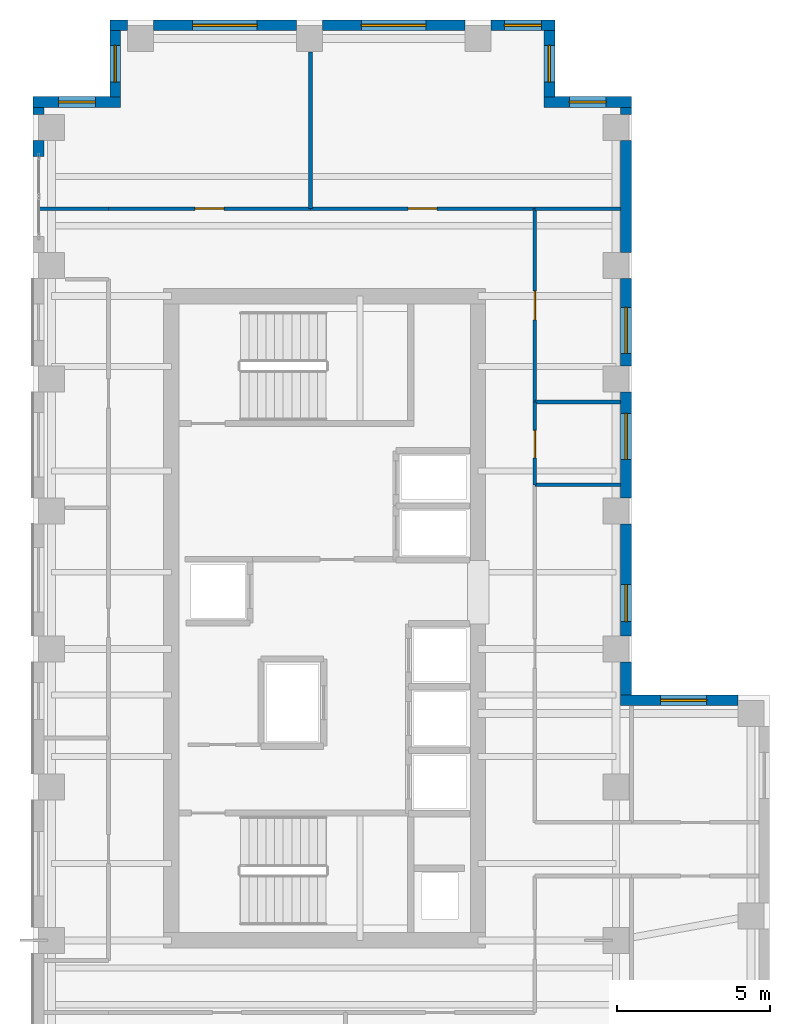
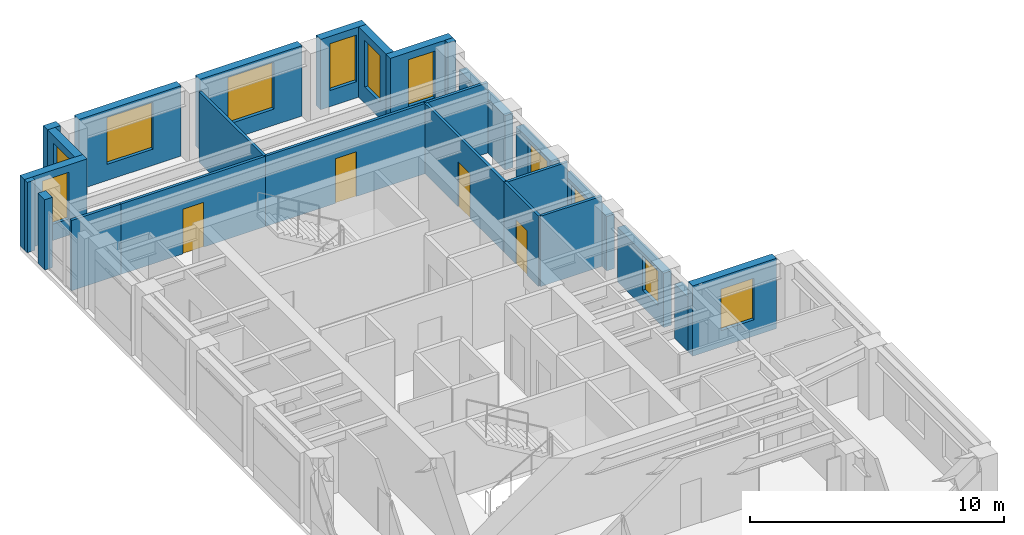
# One storey, part 8 of 10: 26 walls, 11 windows, 4 doors, 15 openings.
"""IFC4 building model written with IfcOpenShell, lengths in metres."""

from ifc_helpers import new_model, si_unit, direction, frame, frame_2d, origin, place, context, subcontext, project, spatial, rectangle, extrude, source, transform, mapped, material, layer, layer_set, type_object, element, fill, save


model = new_model("IFC4")

# Units and contexts
model_context = context("Model", 3, precision=1e-05, world=origin(), true_north=direction((0.0, 1.0)))
body_context = subcontext(model_context, "Body", "Model", "MODEL_VIEW")
ifc_project = project(units=[si_unit("LENGTHUNIT", "METRE"), si_unit("AREAUNIT", "SQUARE_METRE"), si_unit("VOLUMEUNIT", "CUBIC_METRE"), si_unit("PLANEANGLEUNIT", "RADIAN"), si_unit("MASSUNIT", "GRAM", prefix="KILO")], contexts=[model_context])

# Site, building, storey
site_placement = place(None, origin())
site = spatial("IfcSite", under=ifc_project, at=site_placement, CompositionType="ELEMENT")
building_placement = place(site_placement, origin())
building = spatial("IfcBuilding", under=site, at=building_placement, Name="Kharzan Plaza Tower", CompositionType="ELEMENT")
storey_placement = place(building_placement, frame((0.0, 0.0, 266.39990234375)))
storey = spatial("IfcBuildingStorey", under=building, at=storey_placement, Name="L72", CompositionType="ELEMENT", Elevation=266.39990234375)

# Wall, opening, window
ifc_material_1 = material(Name="Concrete C40/50", Category="concrete")
ifc_layer_1 = layer(ifc_material_1, 0.35009765625)
ifc_layer_set_1 = layer_set([ifc_layer_1], Name="Concrete C40/50")
wall_type_1 = type_object("IfcWallType", Name="WL-EXT-MAS-Z4", PredefinedType="SOLIDWALL", material=ifc_layer_set_1)
wall_1_placement = place(storey_placement, frame((16.824951171875, 35.998046875, 0.0), z_axis=(0.0, 0.0, 1.0), x_axis=(0.0, 1.0, 0.0)))
wall_1 = element("IfcWall", 1, at=wall_1_placement, inside=storey, type_object=wall_type_1, Name="L72 Masonry-Frame Exterior Wall 01", PredefinedType="SOLIDWALL", context=body_context, shape_type="SweptSolid", body=[
    extrude(rectangle(XDim=2.154052734375, YDim=0.35009765625, at=frame_2d((1.0771484375, 0.0))), origin(), (0.0, 0.0, 1.0), 3.385009765625),
])
opening_1_placement = place(wall_1_placement, frame((0.47705078125, 0.0, 0.780029296875)))
opening_1 = element("IfcOpeningElement", 2, at=opening_1_placement, cuts=wall_1, Name="Opening W3", PredefinedType="OPENING", context=body_context, shape_type="SweptSolid", body=[
    extrude(rectangle(XDim=1.199951171875, YDim=2.25, at=frame_2d((0.60009765625, 1.125))), frame((0.0, 0.18505859375, 0.0), z_axis=(0.0, -1.0, 0.0), x_axis=(1.0, 0.0, 0.0)), (0.0, 0.0, 1.0), 0.3701171875),
])
ifc_material_2 = material(Name="Low-E Double Glazing", Category="glass")
window_type_1 = type_object("IfcWindowType", Name="WN-REC-1200x2100", PartitioningType="SINGLE_PANEL", PredefinedType="WINDOW", material=ifc_material_2)
shared_shape_1 = source(origin(), body_context, "Body", "SweptSolid", [
    extrude(rectangle(XDim=1.199951171875, YDim=2.25, at=frame_2d((0.60009765625, 1.125))), frame((0.0, 0.030029296875, 0.0), z_axis=(0.0, -1.0, 0.0), x_axis=(1.0, 0.0, 0.0)), (0.0, 0.0, 1.0), 0.06005859375),
])
window_1_placement = place(opening_1_placement, origin())
window_1 = element("IfcWindow", 3, at=window_1_placement, inside=storey, type_object=window_type_1, Name="L72 Recessed Solar-Control Window 01-1", OverallHeight=2.25, OverallWidth=1.199951171875, PartitioningType="SINGLE_PANEL", PredefinedType="WINDOW", context=body_context, shape_type="MappedRepresentation", body=[
    mapped(shared_shape_1, transform((0.0, 0.0, 0.0), x_axis=(1.0, 0.0, 0.0), y_axis=(0.0, 1.0, 0.0), z_axis=(0.0, 0.0, 1.0))),
])
fill(opening_1, window_1)

wall_2_placement = place(storey_placement, frame((17.0, 38.324951171875, 0.0), z_axis=(0.0, 0.0, 1.0), x_axis=(-1.0, 0.0, 0.0)))
wall_2 = element("IfcWall", 4, at=wall_2_placement, inside=storey, type_object=wall_type_1, Name="L72 Masonry-Frame Exterior Wall 02", PredefinedType="SOLIDWALL", context=body_context, shape_type="SweptSolid", body=[
    extrude(rectangle(XDim=2.076904296875, YDim=0.35009765625, at=frame_2d((1.03857421875, 0.0))), origin(), (0.0, 0.0, 1.0), 3.385009765625),
])
opening_2_placement = place(wall_2_placement, frame((0.4384765625, 0.0, 0.780029296875)))
opening_2 = element("IfcOpeningElement", 5, at=opening_2_placement, cuts=wall_2, Name="Opening W3", PredefinedType="OPENING", context=body_context, shape_type="SweptSolid", body=[
    extrude(rectangle(XDim=1.199951171875, YDim=2.25, at=frame_2d((0.60009765625, 1.125))), frame((0.0, 0.18505859375, 0.0), z_axis=(0.0, -1.0, 0.0), x_axis=(1.0, 0.0, 0.0)), (0.0, 0.0, 1.0), 0.3701171875),
])
window_2_placement = place(opening_2_placement, origin())
window_2 = element("IfcWindow", 6, at=window_2_placement, inside=storey, type_object=window_type_1, Name="L72 Recessed Solar-Control Window 02-1", OverallHeight=2.25, OverallWidth=1.199951171875, PartitioningType="SINGLE_PANEL", PredefinedType="WINDOW", context=body_context, shape_type="MappedRepresentation", body=[
    mapped(shared_shape_1, transform((0.0, 0.0, 0.0), x_axis=(1.0, 0.0, 0.0), y_axis=(0.0, 1.0, 0.0), z_axis=(0.0, 0.0, 1.0))),
])
fill(opening_2, window_2)

wall_3_placement = place(storey_placement, frame((14.076904296875, 38.324951171875, 0.0), z_axis=(0.0, 0.0, 1.0), x_axis=(-1.0, 0.0, 0.0)))
wall_3 = element("IfcWall", 7, at=wall_3_placement, inside=storey, type_object=wall_type_1, Name="L72 Masonry-Frame Exterior Wall 03", PredefinedType="SOLIDWALL", context=body_context, shape_type="SweptSolid", body=[
    extrude(rectangle(XDim=4.65380859375, YDim=0.35009765625, at=frame_2d((2.326904296875, 0.0))), origin(), (0.0, 0.0, 1.0), 3.385009765625),
])
opening_3_placement = place(wall_3_placement, frame((1.277099609375, 0.0, 0.780029296875)))
opening_3 = element("IfcOpeningElement", 8, at=opening_3_placement, cuts=wall_3, Name="Opening W6", PredefinedType="OPENING", context=body_context, shape_type="SweptSolid", body=[
    extrude(rectangle(XDim=2.10009765625, YDim=2.25, at=frame_2d((1.050048828125, 1.125))), frame((0.0, 0.18505859375, 0.0), z_axis=(0.0, -1.0, 0.0), x_axis=(1.0, 0.0, 0.0)), (0.0, 0.0, 1.0), 0.3701171875),
])
window_type_2 = type_object("IfcWindowType", Name="WN-EXEC-2100x2250", PartitioningType="SINGLE_PANEL", PredefinedType="WINDOW", material=ifc_material_2)
shared_shape_2 = source(origin(), body_context, "Body", "SweptSolid", [
    extrude(rectangle(XDim=2.10009765625, YDim=2.25, at=frame_2d((1.050048828125, 1.125))), frame((0.0, 0.030029296875, 0.0), z_axis=(0.0, -1.0, 0.0), x_axis=(1.0, 0.0, 0.0)), (0.0, 0.0, 1.0), 0.06005859375),
])
window_3_placement = place(opening_3_placement, origin())
window_3 = element("IfcWindow", 9, at=window_3_placement, inside=storey, type_object=window_type_2, Name="L72 Recessed Solar-Control Window 03-1", OverallHeight=2.25, OverallWidth=2.10009765625, PartitioningType="SINGLE_PANEL", PredefinedType="WINDOW", context=body_context, shape_type="MappedRepresentation", body=[
    mapped(shared_shape_2, transform((0.0, 0.0, 0.0), x_axis=(1.0, 0.0, 0.0), y_axis=(0.0, 1.0, 0.0), z_axis=(0.0, 0.0, 1.0))),
])
fill(opening_3, window_3)

wall_4_placement = place(storey_placement, frame((8.576904296875, 38.324951171875, 0.0), z_axis=(0.0, 0.0, 1.0), x_axis=(-1.0, 0.0, 0.0)))
wall_4 = element("IfcWall", 10, at=wall_4_placement, inside=storey, type_object=wall_type_1, Name="L72 Masonry-Frame Exterior Wall 04", PredefinedType="SOLIDWALL", context=body_context, shape_type="SweptSolid", body=[
    extrude(rectangle(XDim=4.65380859375, YDim=0.35009765625, at=frame_2d((2.326904296875, 0.0))), origin(), (0.0, 0.0, 1.0), 3.385009765625),
])
opening_4_placement = place(wall_4_placement, frame((1.277099609375, 0.0, 0.780029296875)))
opening_4 = element("IfcOpeningElement", 11, at=opening_4_placement, cuts=wall_4, Name="Opening W6", PredefinedType="OPENING", context=body_context, shape_type="SweptSolid", body=[
    extrude(rectangle(XDim=2.10009765625, YDim=2.25, at=frame_2d((1.050048828125, 1.125))), frame((0.0, 0.18505859375, 0.0), z_axis=(0.0, -1.0, 0.0), x_axis=(1.0, 0.0, 0.0)), (0.0, 0.0, 1.0), 0.3701171875),
])
window_4_placement = place(opening_4_placement, origin())
window_4 = element("IfcWindow", 12, at=window_4_placement, inside=storey, type_object=window_type_2, Name="L72 Recessed Solar-Control Window 04-1", OverallHeight=2.25, OverallWidth=2.10009765625, PartitioningType="SINGLE_PANEL", PredefinedType="WINDOW", context=body_context, shape_type="MappedRepresentation", body=[
    mapped(shared_shape_2, transform((0.0, 0.0, 0.0), x_axis=(1.0, 0.0, 0.0), y_axis=(0.0, 1.0, 0.0), z_axis=(0.0, 0.0, 1.0))),
])
fill(opening_4, window_4)

wall_5_placement = place(storey_placement, frame((2.675048828125, 38.152099609375, 0.0), z_axis=(0.0, 0.0, 1.0), x_axis=(0.0, -1.0, 0.0)))
wall_5 = element("IfcWall", 13, at=wall_5_placement, inside=storey, type_object=wall_type_1, Name="L72 Masonry-Frame Exterior Wall 06", PredefinedType="SOLIDWALL", context=body_context, shape_type="SweptSolid", body=[
    extrude(rectangle(XDim=2.154052734375, YDim=0.35009765625, at=frame_2d((1.0771484375, 0.0))), origin(), (0.0, 0.0, 1.0), 3.385009765625),
])
opening_5_placement = place(wall_5_placement, frame((0.47705078125, 0.0, 0.780029296875)))
opening_5 = element("IfcOpeningElement", 14, at=opening_5_placement, cuts=wall_5, Name="Opening W3", PredefinedType="OPENING", context=body_context, shape_type="SweptSolid", body=[
    extrude(rectangle(XDim=1.199951171875, YDim=2.25, at=frame_2d((0.60009765625, 1.125))), frame((0.0, 0.18505859375, 0.0), z_axis=(0.0, -1.0, 0.0), x_axis=(1.0, 0.0, 0.0)), (0.0, 0.0, 1.0), 0.3701171875),
])
window_5_placement = place(opening_5_placement, origin())
window_5 = element("IfcWindow", 15, at=window_5_placement, inside=storey, type_object=window_type_1, Name="L72 Recessed Solar-Control Window 06-1", OverallHeight=2.25, OverallWidth=1.199951171875, PartitioningType="SINGLE_PANEL", PredefinedType="WINDOW", context=body_context, shape_type="MappedRepresentation", body=[
    mapped(shared_shape_1, transform((0.0, 0.0, 0.0), x_axis=(1.0, 0.0, 0.0), y_axis=(0.0, 1.0, 0.0), z_axis=(0.0, 0.0, 1.0))),
])
fill(opening_5, window_5)

wall_6_placement = place(storey_placement, frame((2.85009765625, 35.824951171875, 0.0), z_axis=(0.0, 0.0, 1.0), x_axis=(-1.0, 0.0, 0.0)))
wall_6 = element("IfcWall", 16, at=wall_6_placement, inside=storey, type_object=wall_type_1, Name="L72 Masonry-Frame Exterior Wall 07", PredefinedType="SOLIDWALL", context=body_context, shape_type="SweptSolid", body=[
    extrude(rectangle(XDim=2.85009765625, YDim=0.35009765625, at=frame_2d((1.425048828125, 0.0))), origin(), (0.0, 0.0, 1.0), 3.385009765625),
])
opening_6_placement = place(wall_6_placement, frame((0.824951171875, 0.0, 0.780029296875)))
opening_6 = element("IfcOpeningElement", 17, at=opening_6_placement, cuts=wall_6, Name="Opening W3", PredefinedType="OPENING", context=body_context, shape_type="SweptSolid", body=[
    extrude(rectangle(XDim=1.199951171875, YDim=2.25, at=frame_2d((0.60009765625, 1.125))), frame((0.0, 0.18505859375, 0.0), z_axis=(0.0, -1.0, 0.0), x_axis=(1.0, 0.0, 0.0)), (0.0, 0.0, 1.0), 0.3701171875),
])
window_6_placement = place(opening_6_placement, origin())
window_6 = element("IfcWindow", 18, at=window_6_placement, inside=storey, type_object=window_type_1, Name="L72 Recessed Solar-Control Window 07-1", OverallHeight=2.25, OverallWidth=1.199951171875, PartitioningType="SINGLE_PANEL", PredefinedType="WINDOW", context=body_context, shape_type="MappedRepresentation", body=[
    mapped(shared_shape_1, transform((0.0, 0.0, 0.0), x_axis=(1.0, 0.0, 0.0), y_axis=(0.0, 1.0, 0.0), z_axis=(0.0, 0.0, 1.0))),
])
fill(opening_6, window_6)

wall_7_placement = place(storey_placement, frame((22.97705078125, 16.324951171875, 0.0), z_axis=(0.0, 0.0, 1.0), x_axis=(-1.0, 0.0, 0.0)))
wall_7 = element("IfcWall", 19, at=wall_7_placement, inside=storey, type_object=wall_type_1, Name="L72 Masonry-Frame Exterior Wall 27", PredefinedType="SOLIDWALL", context=body_context, shape_type="SweptSolid", body=[
    extrude(rectangle(XDim=3.8271484375, YDim=0.35009765625, at=frame_2d((1.91357421875, 0.0))), origin(), (0.0, 0.0, 1.0), 3.385009765625),
])
opening_7_placement = place(wall_7_placement, frame((1.0234375, 0.0, 0.780029296875)))
opening_7 = element("IfcOpeningElement", 20, at=opening_7_placement, cuts=wall_7, Name="Opening W5", PredefinedType="OPENING", context=body_context, shape_type="SweptSolid", body=[
    extrude(rectangle(XDim=1.5, YDim=2.0, at=frame_2d((0.75, 1.0))), frame((0.0, 0.18505859375, 0.0), z_axis=(0.0, -1.0, 0.0), x_axis=(1.0, 0.0, 0.0)), (0.0, 0.0, 1.0), 0.3701171875),
])
window_type_3 = type_object("IfcWindowType", Name="WN-SLT-1500x2000", PartitioningType="SINGLE_PANEL", PredefinedType="WINDOW", material=ifc_material_2)
shared_shape_3 = source(origin(), body_context, "Body", "SweptSolid", [
    extrude(rectangle(XDim=1.5, YDim=2.0, at=frame_2d((0.75, 1.0))), frame((0.0, 0.030029296875, 0.0), z_axis=(0.0, -1.0, 0.0), x_axis=(1.0, 0.0, 0.0)), (0.0, 0.0, 1.0), 0.06005859375),
])
window_7_placement = place(opening_7_placement, origin())
window_7 = element("IfcWindow", 21, at=window_7_placement, inside=storey, type_object=window_type_3, Name="L72 Recessed Solar-Control Window 27-1", OverallHeight=2.0, OverallWidth=1.5, PartitioningType="SINGLE_PANEL", PredefinedType="WINDOW", context=body_context, shape_type="MappedRepresentation", body=[
    mapped(shared_shape_3, transform((0.0, 0.0, 0.0), x_axis=(1.0, 0.0, 0.0), y_axis=(0.0, 1.0, 0.0), z_axis=(0.0, 0.0, 1.0))),
])
fill(opening_7, window_7)

wall_8_placement = place(storey_placement, frame((19.324951171875, 18.423095703125, 0.0), z_axis=(0.0, 0.0, 1.0), x_axis=(0.0, 1.0, 0.0)))
wall_8 = element("IfcWall", 22, at=wall_8_placement, inside=storey, type_object=wall_type_1, Name="L72 Masonry-Frame Exterior Wall 29", PredefinedType="SOLIDWALL", context=body_context, shape_type="SweptSolid", body=[
    extrude(rectangle(XDim=3.65380859375, YDim=0.35009765625, at=frame_2d((1.826904296875, 0.0))), origin(), (0.0, 0.0, 1.0), 2.619140625),
])
opening_8_placement = place(wall_8_placement, frame((0.469970703125, 0.0, 0.780029296875)))
opening_8 = element("IfcOpeningElement", 23, at=opening_8_placement, cuts=wall_8, Name="Opening W3", PredefinedType="OPENING", context=body_context, shape_type="SweptSolid", body=[
    extrude(rectangle(XDim=1.199951171875, YDim=1.658935546875, at=frame_2d((0.60009765625, 0.82958984375))), frame((0.0, 0.18505859375, 0.0), z_axis=(0.0, -1.0, 0.0), x_axis=(1.0, 0.0, 0.0)), (0.0, 0.0, 1.0), 0.3701171875),
])
shared_shape_4 = source(origin(), body_context, "Body", "SweptSolid", [
    extrude(rectangle(XDim=1.199951171875, YDim=1.658935546875, at=frame_2d((0.60009765625, 0.82958984375))), frame((0.0, 0.030029296875, 0.0), z_axis=(0.0, -1.0, 0.0), x_axis=(1.0, 0.0, 0.0)), (0.0, 0.0, 1.0), 0.06005859375),
])
window_8_placement = place(opening_8_placement, origin())
window_8 = element("IfcWindow", 24, at=window_8_placement, inside=storey, type_object=window_type_1, Name="L72 Recessed Solar-Control Window 29-1", OverallHeight=1.658935546875, OverallWidth=1.199951171875, PartitioningType="SINGLE_PANEL", PredefinedType="WINDOW", context=body_context, shape_type="MappedRepresentation", body=[
    mapped(shared_shape_4, transform((0.0, 0.0, 0.0), x_axis=(1.0, 0.0, 0.0), y_axis=(0.0, 1.0, 0.0), z_axis=(0.0, 0.0, 1.0))),
])
fill(opening_8, window_8)

wall_9_placement = place(storey_placement, frame((19.324951171875, 22.923095703125, 0.0), z_axis=(0.0, 0.0, 1.0), x_axis=(0.0, 1.0, 0.0)))
wall_9 = element("IfcWall", 25, at=wall_9_placement, inside=storey, type_object=wall_type_1, Name="L72 Masonry-Frame Exterior Wall 30", PredefinedType="SOLIDWALL", context=body_context, shape_type="SweptSolid", body=[
    extrude(rectangle(XDim=3.453857421875, YDim=0.35009765625, at=frame_2d((1.72705078125, 0.0))), origin(), (0.0, 0.0, 1.0), 2.619140625),
])
opening_9_placement = place(wall_9_placement, frame((1.255615234375, 0.0, 0.780029296875)))
opening_9 = element("IfcOpeningElement", 26, at=opening_9_placement, cuts=wall_9, Name="Opening W5", PredefinedType="OPENING", context=body_context, shape_type="SweptSolid", body=[
    extrude(rectangle(XDim=1.5, YDim=1.658935546875, at=frame_2d((0.75, 0.82958984375))), frame((0.0, 0.18505859375, 0.0), z_axis=(0.0, -1.0, 0.0), x_axis=(1.0, 0.0, 0.0)), (0.0, 0.0, 1.0), 0.3701171875),
])
shared_shape_5 = source(origin(), body_context, "Body", "SweptSolid", [
    extrude(rectangle(XDim=1.5, YDim=1.658935546875, at=frame_2d((0.75, 0.82958984375))), frame((0.0, 0.030029296875, 0.0), z_axis=(0.0, -1.0, 0.0), x_axis=(1.0, 0.0, 0.0)), (0.0, 0.0, 1.0), 0.06005859375),
])
window_9_placement = place(opening_9_placement, origin())
window_9 = element("IfcWindow", 27, at=window_9_placement, inside=storey, type_object=window_type_3, Name="L72 Recessed Solar-Control Window 30-1", OverallHeight=1.658935546875, OverallWidth=1.5, PartitioningType="SINGLE_PANEL", PredefinedType="WINDOW", context=body_context, shape_type="MappedRepresentation", body=[
    mapped(shared_shape_5, transform((0.0, 0.0, 0.0), x_axis=(1.0, 0.0, 0.0), y_axis=(0.0, 1.0, 0.0), z_axis=(0.0, 0.0, 1.0))),
])
fill(opening_9, window_9)

wall_10_placement = place(storey_placement, frame((19.324951171875, 27.222900390625, 0.0), z_axis=(0.0, 0.0, 1.0), x_axis=(0.0, 1.0, 0.0)))
wall_10 = element("IfcWall", 28, at=wall_10_placement, inside=storey, type_object=wall_type_1, Name="L72 Masonry-Frame Exterior Wall 31", PredefinedType="SOLIDWALL", context=body_context, shape_type="SweptSolid", body=[
    extrude(rectangle(XDim=2.85400390625, YDim=0.35009765625, at=frame_2d((1.427001953125, 0.0))), origin(), (0.0, 0.0, 1.0), 2.619140625),
])
opening_10_placement = place(wall_10_placement, frame((0.411376953125, 0.0, 0.780029296875)))
opening_10 = element("IfcOpeningElement", 29, at=opening_10_placement, cuts=wall_10, Name="Opening W5", PredefinedType="OPENING", context=body_context, shape_type="SweptSolid", body=[
    extrude(rectangle(XDim=1.5, YDim=1.658935546875, at=frame_2d((0.75, 0.82958984375))), frame((0.0, 0.18505859375, 0.0), z_axis=(0.0, -1.0, 0.0), x_axis=(1.0, 0.0, 0.0)), (0.0, 0.0, 1.0), 0.3701171875),
])
window_10_placement = place(opening_10_placement, origin())
window_10 = element("IfcWindow", 30, at=window_10_placement, inside=storey, type_object=window_type_3, Name="L72 Recessed Solar-Control Window 31-1", OverallHeight=1.658935546875, OverallWidth=1.5, PartitioningType="SINGLE_PANEL", PredefinedType="WINDOW", context=body_context, shape_type="MappedRepresentation", body=[
    mapped(shared_shape_5, transform((0.0, 0.0, 0.0), x_axis=(1.0, 0.0, 0.0), y_axis=(0.0, 1.0, 0.0), z_axis=(0.0, 0.0, 1.0))),
])
fill(opening_10, window_10)

wall_11_placement = place(storey_placement, frame((19.5, 35.824951171875, 0.0), z_axis=(0.0, 0.0, 1.0), x_axis=(-1.0, 0.0, 0.0)))
wall_11 = element("IfcWall", 31, at=wall_11_placement, inside=storey, type_object=wall_type_1, Name="L72 Masonry-Frame Exterior Wall 34", PredefinedType="SOLIDWALL", context=body_context, shape_type="SweptSolid", body=[
    extrude(rectangle(XDim=2.85009765625, YDim=0.35009765625, at=frame_2d((1.425048828125, 0.0))), origin(), (0.0, 0.0, 1.0), 3.385009765625),
])
opening_11_placement = place(wall_11_placement, frame((0.824951171875, 0.0, 0.780029296875)))
opening_11 = element("IfcOpeningElement", 32, at=opening_11_placement, cuts=wall_11, Name="Opening W3", PredefinedType="OPENING", context=body_context, shape_type="SweptSolid", body=[
    extrude(rectangle(XDim=1.199951171875, YDim=2.25, at=frame_2d((0.60009765625, 1.125))), frame((0.0, 0.18505859375, 0.0), z_axis=(0.0, -1.0, 0.0), x_axis=(1.0, 0.0, 0.0)), (0.0, 0.0, 1.0), 0.3701171875),
])
window_11_placement = place(opening_11_placement, origin())
window_11 = element("IfcWindow", 33, at=window_11_placement, inside=storey, type_object=window_type_1, Name="L72 Recessed Solar-Control Window 34-1", OverallHeight=2.25, OverallWidth=1.199951171875, PartitioningType="SINGLE_PANEL", PredefinedType="WINDOW", context=body_context, shape_type="MappedRepresentation", body=[
    mapped(shared_shape_1, transform((0.0, 0.0, 0.0), x_axis=(1.0, 0.0, 0.0), y_axis=(0.0, 1.0, 0.0), z_axis=(0.0, 0.0, 1.0))),
])
fill(opening_11, window_11)

# Wall, opening, door
ifc_material_3 = material(Name="Fire-Rated Gypsum Board Partition", Category="gypsum")
ifc_layer_2 = layer(ifc_material_3, 0.125)
ifc_layer_set_2 = layer_set([ifc_layer_2], Name="Fire-Rated Gypsum Board Partition")
wall_type_2 = type_object("IfcWallType", Name="WL-INT-PART-125", PredefinedType="PARTITIONING", material=ifc_layer_set_2)
wall_12_placement = place(storey_placement, frame((16.35009765625, 26.050048828125, 0.0), z_axis=(0.0, 0.0, 1.0), x_axis=(0.0, 1.0, 0.0)))
wall_12 = element("IfcWall", 34, at=wall_12_placement, inside=storey, type_object=wall_type_2, Name="L72 Interior Partition SH-AEW3", PredefinedType="PARTITIONING", context=body_context, shape_type="SweptSolid", body=[
    extrude(rectangle(XDim=6.300048828125, YDim=0.125, at=frame_2d((3.14990234375, 0.0))), origin(), (0.0, 0.0, 1.0), 3.385009765625),
])
opening_12_placement = place(wall_12_placement, frame((2.675048828125, 0.0, 0.0)))
opening_12 = element("IfcOpeningElement", 35, at=opening_12_placement, cuts=wall_12, Name="Opening OD1", PredefinedType="OPENING", context=body_context, shape_type="SweptSolid", body=[
    extrude(rectangle(XDim=0.949951171875, YDim=2.14990234375, at=frame_2d((0.47509765625, 1.074951171875))), frame((0.0, 0.072509765625, 0.0), z_axis=(0.0, -1.0, 0.0), x_axis=(1.0, 0.0, 0.0)), (0.0, 0.0, 1.0), 0.14501953125),
])
ifc_material_4 = material(Name="Acoustic Solid-Core Stained Oak", Category="timber")
door_type_1 = type_object("IfcDoorType", Name="DR-OFF-SINGLE", OperationType="NOTDEFINED", PredefinedType="DOOR", material=ifc_material_4)
shared_shape_6 = source(origin(), body_context, "Body", "SweptSolid", [
    extrude(rectangle(XDim=0.949951171875, YDim=2.14990234375, at=frame_2d((0.47509765625, 1.074951171875))), frame((0.0, 0.02490234375, 0.0), z_axis=(0.0, -1.0, 0.0), x_axis=(1.0, 0.0, 0.0)), (0.0, 0.0, 1.0), 0.050048828125),
])
door_1_placement = place(opening_12_placement, origin())
door_1 = element("IfcDoor", 36, at=door_1_placement, inside=storey, type_object=door_type_1, Name="L72 Tea Pantry Door", OperationType="SINGLE_SWING_LEFT", OverallHeight=2.14990234375, OverallWidth=0.949951171875, PredefinedType="DOOR", context=body_context, shape_type="MappedRepresentation", body=[
    mapped(shared_shape_6, transform((0.0, 0.0, 0.0), x_axis=(1.0, 0.0, 0.0), y_axis=(0.0, 1.0, 0.0), z_axis=(0.0, 0.0, 1.0))),
])
fill(opening_12, door_1)

wall_13_placement = place(storey_placement, frame((16.35009765625, 23.35009765625, 0.0), z_axis=(0.0, 0.0, 1.0), x_axis=(0.0, 1.0, 0.0)))
wall_13 = element("IfcWall", 37, at=wall_13_placement, inside=storey, type_object=wall_type_2, Name="L72 Interior Partition SH-AEWW", PredefinedType="PARTITIONING", context=body_context, shape_type="SweptSolid", body=[
    extrude(rectangle(XDim=2.699951171875, YDim=0.125, at=frame_2d((1.35009765625, 0.0))), origin(), (0.0, 0.0, 1.0), 3.385009765625),
])
opening_13_placement = place(wall_13_placement, frame((0.875, 0.0, 0.0)))
opening_13 = element("IfcOpeningElement", 38, at=opening_13_placement, cuts=wall_13, Name="Opening WD1", PredefinedType="OPENING", context=body_context, shape_type="SweptSolid", body=[
    extrude(rectangle(XDim=0.89990234375, YDim=2.14990234375, at=frame_2d((0.449951171875, 1.074951171875))), frame((0.0, 0.072509765625, 0.0), z_axis=(0.0, -1.0, 0.0), x_axis=(1.0, 0.0, 0.0)), (0.0, 0.0, 1.0), 0.14501953125),
])
ifc_material_5 = material(Name="Moisture-Resistant Fire-Rated Laminate", Category="timber")
door_type_2 = type_object("IfcDoorType", Name="DR-WC-900", OperationType="NOTDEFINED", PredefinedType="DOOR", material=ifc_material_5)
shared_shape_7 = source(origin(), body_context, "Body", "SweptSolid", [
    extrude(rectangle(XDim=0.89990234375, YDim=2.14990234375, at=frame_2d((0.449951171875, 1.074951171875))), frame((0.0, 0.02490234375, 0.0), z_axis=(0.0, -1.0, 0.0), x_axis=(1.0, 0.0, 0.0)), (0.0, 0.0, 1.0), 0.050048828125),
])
door_2_placement = place(opening_13_placement, origin())
door_2 = element("IfcDoor", 39, at=door_2_placement, inside=storey, type_object=door_type_2, Name="L72 Washroom Door", OperationType="SINGLE_SWING_RIGHT", OverallHeight=2.14990234375, OverallWidth=0.89990234375, PredefinedType="DOOR", context=body_context, shape_type="MappedRepresentation", body=[
    mapped(shared_shape_7, transform((0.0, 0.0, 0.0), x_axis=(1.0, 0.0, 0.0), y_axis=(0.0, 1.0, 0.0), z_axis=(0.0, 0.0, 1.0))),
])
fill(opening_13, door_2)

wall_14_placement = place(storey_placement, frame((2.449951171875, 32.35009765625, 0.0), z_axis=(0.0, 0.0, 1.0), x_axis=(1.0, 0.0, 0.0)))
wall_14 = element("IfcWall", 40, at=wall_14_placement, inside=storey, type_object=wall_type_2, Name="L72 Interior Partition SH-NN-1", PredefinedType="PARTITIONING", context=body_context, shape_type="SweptSolid", body=[
    extrude(rectangle(XDim=6.589111328125, YDim=0.125, at=frame_2d((3.29443359375, 0.0))), origin(), (0.0, 0.0, 1.0), 3.385009765625),
])
opening_14_placement = place(wall_14_placement, frame((2.819580078125, 0.0, 0.0)))
opening_14 = element("IfcOpeningElement", 41, at=opening_14_placement, cuts=wall_14, Name="Opening OD1", PredefinedType="OPENING", context=body_context, shape_type="SweptSolid", body=[
    extrude(rectangle(XDim=0.949951171875, YDim=2.14990234375, at=frame_2d((0.47509765625, 1.074951171875))), frame((0.0, 0.072509765625, 0.0), z_axis=(0.0, -1.0, 0.0), x_axis=(1.0, 0.0, 0.0)), (0.0, 0.0, 1.0), 0.14501953125),
])
door_3_placement = place(opening_14_placement, origin())
door_3 = element("IfcDoor", 42, at=door_3_placement, inside=storey, type_object=door_type_1, Name="L72 Maritime Simulation Studio Door", OperationType="SINGLE_SWING_RIGHT", OverallHeight=2.14990234375, OverallWidth=0.949951171875, PredefinedType="DOOR", context=body_context, shape_type="MappedRepresentation", body=[
    mapped(shared_shape_6, transform((0.0, 0.0, 0.0), x_axis=(1.0, 0.0, 0.0), y_axis=(0.0, 1.0, 0.0), z_axis=(0.0, 0.0, 1.0))),
])
fill(opening_14, door_3)

wall_15_placement = place(storey_placement, frame((9.0390625, 32.35009765625, 0.0), z_axis=(0.0, 0.0, 1.0), x_axis=(1.0, 0.0, 0.0)))
wall_15 = element("IfcWall", 43, at=wall_15_placement, inside=storey, type_object=wall_type_2, Name="L72 Interior Partition SH-NN-2", PredefinedType="PARTITIONING", context=body_context, shape_type="SweptSolid", body=[
    extrude(rectangle(XDim=7.31103515625, YDim=0.125, at=frame_2d((3.655517578125, 0.0))), origin(), (0.0, 0.0, 1.0), 3.385009765625),
])
opening_15_placement = place(wall_15_placement, frame((3.180419921875, 0.0, 0.0)))
opening_15 = element("IfcOpeningElement", 44, at=opening_15_placement, cuts=wall_15, Name="Opening OD1", PredefinedType="OPENING", context=body_context, shape_type="SweptSolid", body=[
    extrude(rectangle(XDim=0.949951171875, YDim=2.14990234375, at=frame_2d((0.47509765625, 1.074951171875))), frame((0.0, 0.072509765625, 0.0), z_axis=(0.0, -1.0, 0.0), x_axis=(1.0, 0.0, 0.0)), (0.0, 0.0, 1.0), 0.14501953125),
])
door_4_placement = place(opening_15_placement, origin())
door_4 = element("IfcDoor", 45, at=door_4_placement, inside=storey, type_object=door_type_1, Name="L72 Maritime Simulation Studio Door", OperationType="SINGLE_SWING_LEFT", OverallHeight=2.14990234375, OverallWidth=0.949951171875, PredefinedType="DOOR", context=body_context, shape_type="MappedRepresentation", body=[
    mapped(shared_shape_6, transform((0.0, 0.0, 0.0), x_axis=(1.0, 0.0, 0.0), y_axis=(0.0, 1.0, 0.0), z_axis=(0.0, 0.0, 1.0))),
])
fill(opening_15, door_4)

# Walls
shared_shape_8 = source(origin(), body_context, "Body", "SweptSolid", [
    extrude(rectangle(XDim=2.7978515625, YDim=0.125, at=frame_2d((1.39892578125, 0.0))), origin(), (0.0, 0.0, 1.0), 3.385009765625),
])
for number, where, z_axis, x_axis, name in (
    (46, (16.35009765625, 23.35009765625, 0.0), (0.0, 0.0, 1.0), (1.0, 0.0, 0.0), "L72 Interior Partition SH-AEH-233"),
    (47, (16.35009765625, 26.050048828125, 0.0), (0.0, 0.0, 1.0), (1.0, 0.0, 0.0), "L72 Interior Partition SH-AEH-260"),
    (48, (16.35009765625, 32.35009765625, 0.0), (0.0, 0.0, 1.0), (1.0, 0.0, 0.0), "L72 Interior Partition SH-NNE0"),
):
    element("IfcWall", number, at=place(storey_placement, frame(where, z_axis=z_axis, x_axis=x_axis)), inside=storey, type_object=wall_type_2, Name=name, PredefinedType="PARTITIONING", context=body_context, shape_type="MappedRepresentation", body=[
        mapped(shared_shape_8, transform((0.0, 0.0, 0.0), x_axis=(1.0, 0.0, 0.0), y_axis=(0.0, 1.0, 0.0), z_axis=(0.0, 0.0, 1.0))),
    ])
shared_shape_9 = source(origin(), body_context, "Body", "SweptSolid", [
    extrude(rectangle(XDim=0.576904296875, YDim=0.35009765625, at=frame_2d((0.28857421875, 0.0))), origin(), (0.0, 0.0, 1.0), 3.385009765625),
])
wall_16_placement = place(storey_placement, frame((3.076904296875, 38.324951171875, 0.0), z_axis=(0.0, 0.0, 1.0), x_axis=(-1.0, 0.0, 0.0)))
element("IfcWall", 49, at=wall_16_placement, inside=storey, type_object=wall_type_1, Name="L72 Masonry-Frame Exterior Wall 05", PredefinedType="SOLIDWALL", context=body_context, shape_type="MappedRepresentation", body=[
    mapped(shared_shape_9, transform((0.0, 0.0, 0.0), x_axis=(1.0, 0.0, 0.0), y_axis=(0.0, 1.0, 0.0), z_axis=(0.0, 0.0, 1.0))),
])
shared_shape_10 = source(origin(), body_context, "Body", "SweptSolid", [
    extrude(rectangle(XDim=0.22900390625, YDim=0.35009765625, at=frame_2d((0.114501953125, 0.0))), origin(), (0.0, 0.0, 1.0), 3.385009765625),
])
for number, where, z_axis, x_axis, name in (
    (50, (0.175048828125, 35.652099609375, 0.0), (0.0, 0.0, 1.0), (0.0, -1.0, 0.0), "L72 Masonry-Frame Exterior Wall 08"),
    (51, (19.324951171875, 35.423095703125, 0.0), (0.0, 0.0, 1.0), (0.0, 1.0, 0.0), "L72 Masonry-Frame Exterior Wall 33"),
):
    element("IfcWall", number, at=place(storey_placement, frame(where, z_axis=z_axis, x_axis=x_axis)), inside=storey, type_object=wall_type_1, Name=name, PredefinedType="SOLIDWALL", context=body_context, shape_type="MappedRepresentation", body=[
        mapped(shared_shape_10, transform((0.0, 0.0, 0.0), x_axis=(1.0, 0.0, 0.0), y_axis=(0.0, 1.0, 0.0), z_axis=(0.0, 0.0, 1.0))),
    ])
shared_shape_11 = source(origin(), body_context, "Body", "SweptSolid", [
    extrude(rectangle(XDim=0.52685546875, YDim=0.35009765625, at=frame_2d((0.263427734375, 0.0))), origin(), (0.0, 0.0, 1.0), 3.385009765625),
])
wall_17_placement = place(storey_placement, frame((0.175048828125, 34.576904296875, 0.0), z_axis=(0.0, 0.0, 1.0), x_axis=(0.0, -1.0, 0.0)))
element("IfcWall", 52, at=wall_17_placement, inside=storey, type_object=wall_type_1, Name="L72 Masonry-Frame Exterior Wall 09", PredefinedType="SOLIDWALL", context=body_context, shape_type="MappedRepresentation", body=[
    mapped(shared_shape_11, transform((0.0, 0.0, 0.0), x_axis=(1.0, 0.0, 0.0), y_axis=(0.0, 1.0, 0.0), z_axis=(0.0, 0.0, 1.0))),
])
shared_shape_12 = source(origin(), body_context, "Body", "SweptSolid", [
    extrude(rectangle(XDim=3.65380859375, YDim=0.35009765625, at=frame_2d((1.826904296875, 0.0))), origin(), (0.0, 0.0, 1.0), 2.619140625),
])
wall_18_placement = place(storey_placement, frame((19.324951171875, 30.923095703125, 0.0), z_axis=(0.0, 0.0, 1.0), x_axis=(0.0, 1.0, 0.0)))
element("IfcWall", 53, at=wall_18_placement, inside=storey, type_object=wall_type_1, Name="L72 Masonry-Frame Exterior Wall 32", PredefinedType="SOLIDWALL", context=body_context, shape_type="MappedRepresentation", body=[
    mapped(shared_shape_12, transform((0.0, 0.0, 0.0), x_axis=(1.0, 0.0, 0.0), y_axis=(0.0, 1.0, 0.0), z_axis=(0.0, 0.0, 1.0))),
])
shared_shape_13 = source(origin(), body_context, "Body", "SweptSolid", [
    extrude(rectangle(XDim=1.078857421875, YDim=0.35009765625, at=frame_2d((0.53955078125, 0.0))), origin(), (0.0, 0.0, 1.0), 2.619140625),
])
wall_19_placement = place(storey_placement, frame((19.324951171875, 16.498046875, 0.0), z_axis=(0.0, 0.0, 1.0), x_axis=(0.0, 1.0, 0.0)))
element("IfcWall", 54, at=wall_19_placement, inside=storey, type_object=wall_type_1, Name="L72 Masonry-Frame Exterior Wall 28", PredefinedType="SOLIDWALL", context=body_context, shape_type="MappedRepresentation", body=[
    mapped(shared_shape_13, transform((0.0, 0.0, 0.0), x_axis=(1.0, 0.0, 0.0), y_axis=(0.0, 1.0, 0.0), z_axis=(0.0, 0.0, 1.0))),
])
shared_shape_14 = source(origin(), body_context, "Body", "SweptSolid", [
    extrude(rectangle(XDim=2.239990234375, YDim=0.125, at=frame_2d((1.1201171875, 0.0))), origin(), (0.0, 0.0, 1.0), 3.385009765625),
])
wall_20_placement = place(storey_placement, frame((0.2099609375, 32.35009765625, 0.0), z_axis=(0.0, 0.0, 1.0), x_axis=(1.0, 0.0, 0.0)))
element("IfcWall", 55, at=wall_20_placement, inside=storey, type_object=wall_type_2, Name="L72 Interior Partition SH-NNW0", PredefinedType="PARTITIONING", context=body_context, shape_type="MappedRepresentation", body=[
    mapped(shared_shape_14, transform((0.0, 0.0, 0.0), x_axis=(1.0, 0.0, 0.0), y_axis=(0.0, 1.0, 0.0), z_axis=(0.0, 0.0, 1.0))),
])
shared_shape_15 = source(origin(), body_context, "Body", "SweptSolid", [
    extrude(rectangle(XDim=5.099853515625, YDim=0.125, at=frame_2d((2.5498046875, 0.0))), origin(), (0.0, 0.0, 1.0), 3.385009765625),
])
wall_21_placement = place(storey_placement, frame((9.0390625, 32.35009765625, 0.0), z_axis=(0.0, 0.0, 1.0), x_axis=(0.0, 1.0, 0.0)))
element("IfcWall", 56, at=wall_21_placement, inside=storey, type_object=wall_type_2, Name="L72 Interior Partition SH-NV-1", PredefinedType="PARTITIONING", context=body_context, shape_type="MappedRepresentation", body=[
    mapped(shared_shape_15, transform((0.0, 0.0, 0.0), x_axis=(1.0, 0.0, 0.0), y_axis=(0.0, 1.0, 0.0), z_axis=(0.0, 0.0, 1.0))),
])

save(model, "model.ifc")
